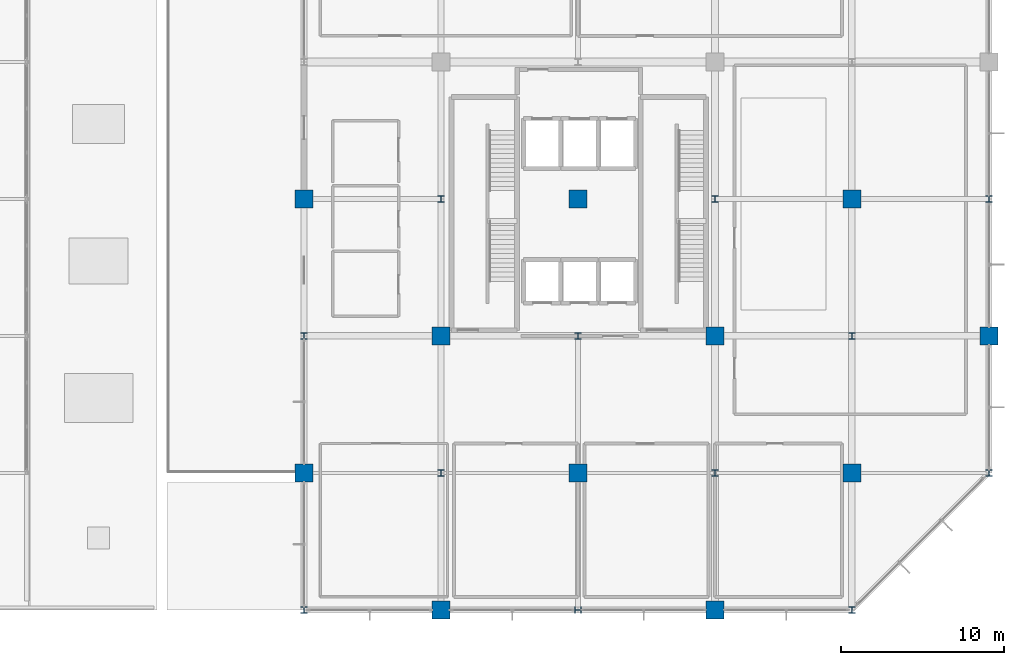
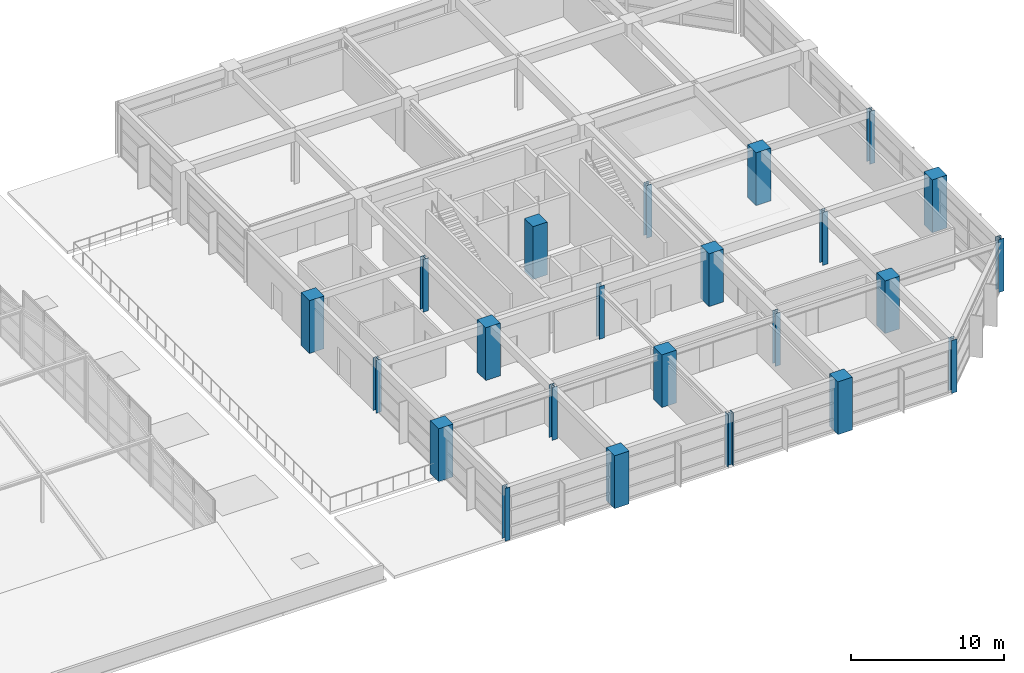
# One storey, part 2 of 34: 23 columns.
"""IFC4 building model written with IfcOpenShell, lengths in metres."""

from ifc_helpers import new_model, si_unit, direction, frame, origin, origin_2d, place, context, subcontext, project, spatial, rectangle, i_section, extrude, material, material_profile, profile_set, type_object, element, save


model = new_model("IFC4")

# Units and contexts
model_context = context("Model", 3, precision=1e-05, world=origin(), true_north=direction((0.0, 1.0)))
body_context = subcontext(model_context, "Body", "Model", "MODEL_VIEW")
ifc_project = project(units=[si_unit("LENGTHUNIT", "METRE"), si_unit("AREAUNIT", "SQUARE_METRE"), si_unit("VOLUMEUNIT", "CUBIC_METRE"), si_unit("PLANEANGLEUNIT", "RADIAN"), si_unit("MASSUNIT", "GRAM", prefix="KILO")], contexts=[model_context])

# Site, building, storey
site_placement = place(None, origin())
site = spatial("IfcSite", under=ifc_project, at=site_placement, CompositionType="ELEMENT")
building_placement = place(site_placement, origin())
building = spatial("IfcBuilding", under=site, at=building_placement, Name="Xuanlan Plaza Opera House", CompositionType="ELEMENT")
storey_placement = place(building_placement, frame((0.0, 0.0, 27.89990234375)))
storey = spatial("IfcBuildingStorey", under=building, at=storey_placement, Name="L06", CompositionType="ELEMENT", Elevation=27.89990234375)

# Columns
ifc_material_1 = material(Name="Concrete C50", Category="concrete")
ifc_material_profile_1 = material_profile(ifc_material_1, rectangle(XDim=1.10009765625, YDim=1.10009765625, at=origin_2d()), Name="RC-COL 1100x1100")
ifc_profile_set_1 = profile_set([ifc_material_profile_1], Name="Concrete C50")
column_type_1 = type_object("IfcColumnType", Name="STR-COL-C-03", PredefinedType="COLUMN", material=ifc_profile_set_1)
for number, where, z_axis, x_axis, name in (
    (1, (126.0, 42.0, 0.0), (0.0, 0.0, 1.0), (1.0, 0.0, 0.0), "Column L06 16-F"),
    (2, (126.0, 58.800048828125, 0.0), (0.0, 0.0, 1.0), (1.0, 0.0, 0.0), "Column L06 16-H"),
    (3, (134.39990234375, 33.60009765625, 0.0), (0.0, 0.0, 1.0), (1.0, 0.0, 0.0), "Column L06 17-E"),
    (4, (134.39990234375, 50.39990234375, 0.0), (0.0, 0.0, 1.0), (1.0, 0.0, 0.0), "Column L06 17-G"),
    (5, (142.800048828125, 42.0, 0.0), (0.0, 0.0, 1.0), (1.0, 0.0, 0.0), "Column L06 18-F"),
    (6, (142.800048828125, 58.800048828125, 0.0), (0.0, 0.0, 1.0), (1.0, 0.0, 0.0), "Column L06 18-H"),
    (7, (151.199951171875, 33.60009765625, 0.0), (0.0, 0.0, 1.0), (1.0, 0.0, 0.0), "Column L06 19-E"),
    (8, (151.199951171875, 50.39990234375, 0.0), (0.0, 0.0, 1.0), (1.0, 0.0, 0.0), "Column L06 19-G"),
    (9, (159.60009765625, 42.0, 0.0), (0.0, 0.0, 1.0), (1.0, 0.0, 0.0), "Column L06 20-F"),
    (10, (159.60009765625, 58.800048828125, 0.0), (0.0, 0.0, 1.0), (1.0, 0.0, 0.0), "Column L06 20-H"),
    (11, (168.0, 50.39990234375, 0.0), (0.0, 0.0, 1.0), (1.0, 0.0, 0.0), "Column L06 21-G"),
):
    element("IfcColumn", number, at=place(storey_placement, frame(where, z_axis=z_axis, x_axis=x_axis)), inside=storey, type_object=column_type_1, Name=name, PredefinedType="COLUMN", context=body_context, shape_type="SweptSolid", body=[
        extrude(rectangle(XDim=1.10009765625, YDim=1.10009765625, at=origin_2d()), origin(), (0.0, 0.0, 1.0), 4.2001953125),
    ])
ifc_material_2 = material(Name="Steel Q355B", Category="steel")
ifc_material_profile_2 = material_profile(ifc_material_2, i_section(OverallWidth=0.39990234375, OverallDepth=0.39990234375, WebThickness=0.012939453125, FlangeThickness=0.02099609375, FilletRadius=0.02197265625, at=origin_2d()), Name="HW 400x400x13x21")
ifc_profile_set_2 = profile_set([ifc_material_profile_2], Name="Steel Q355B")
column_type_2 = type_object("IfcColumnType", Name="STR-COL-C-14", PredefinedType="COLUMN", material=ifc_profile_set_2)
for number, where, z_axis, x_axis, name in (
    (12, (126.0, 33.60009765625, 0.0), (0.0, 0.0, 1.0), (1.0, 0.0, 0.0), "Column L06 16-E"),
    (13, (126.0, 50.39990234375, 0.0), (0.0, 0.0, 1.0), (1.0, 0.0, 0.0), "Column L06 16-G"),
    (14, (134.39990234375, 42.0, 0.0), (0.0, 0.0, 1.0), (1.0, 0.0, 0.0), "Column L06 17-F"),
    (15, (134.39990234375, 58.800048828125, 0.0), (0.0, 0.0, 1.0), (1.0, 0.0, 0.0), "Column L06 17-H"),
    (16, (142.800048828125, 33.60009765625, 0.0), (0.0, 0.0, 1.0), (0.0, 1.0, 0.0), "Column L06 18-E"),
    (17, (142.800048828125, 50.39990234375, 0.0), (0.0, 0.0, 1.0), (1.0, 0.0, 0.0), "Column L06 18-G"),
    (18, (151.199951171875, 42.0, 0.0), (0.0, 0.0, 1.0), (1.0, 0.0, 0.0), "Column L06 19-F"),
    (19, (151.199951171875, 58.800048828125, 0.0), (0.0, 0.0, 1.0), (1.0, 0.0, 0.0), "Column L06 19-H"),
    (20, (159.60009765625, 33.60009765625, 0.0), (0.0, 0.0, 1.0), (1.0, 0.0, 0.0), "Column L06 20-E"),
    (21, (159.60009765625, 50.39990234375, 0.0), (0.0, 0.0, 1.0), (1.0, 0.0, 0.0), "Column L06 20-G"),
    (22, (168.0, 42.0, 0.0), (0.0, 0.0, 1.0), (1.0, 0.0, 0.0), "Column L06 21-F"),
    (23, (168.0, 58.800048828125, 0.0), (0.0, 0.0, 1.0), (1.0, 0.0, 0.0), "Column L06 21-H"),
):
    element("IfcColumn", number, at=place(storey_placement, frame(where, z_axis=z_axis, x_axis=x_axis)), inside=storey, type_object=column_type_2, Name=name, PredefinedType="COLUMN", context=body_context, shape_type="SweptSolid", body=[
        extrude(i_section(OverallWidth=0.39990234375, OverallDepth=0.39990234375, WebThickness=0.012939453125, FlangeThickness=0.02099609375, FilletRadius=0.02197265625, at=origin_2d()), origin(), (0.0, 0.0, 1.0), 4.2001953125),
    ])

save(model, "model.ifc")
